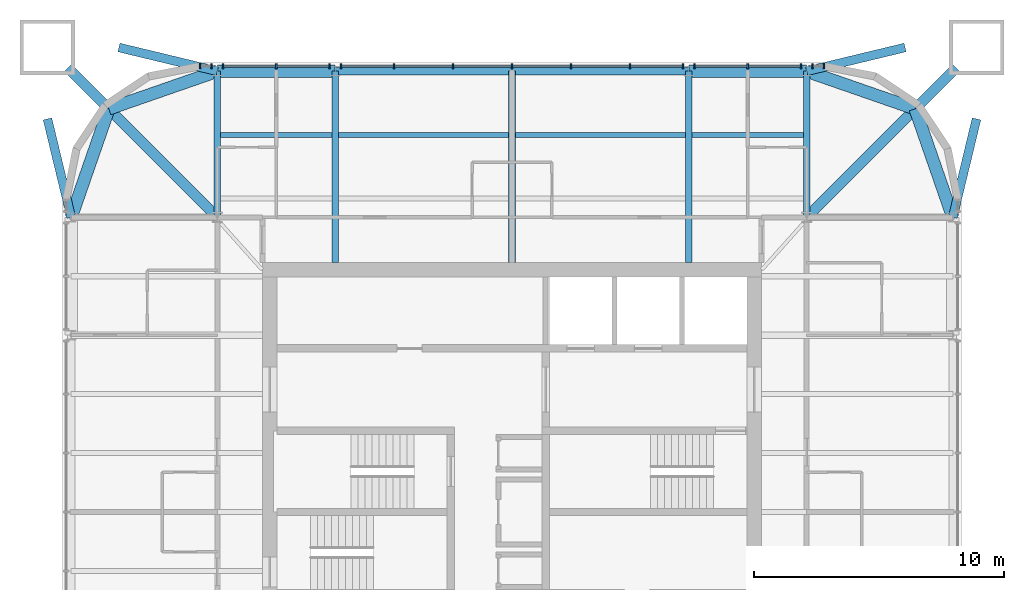
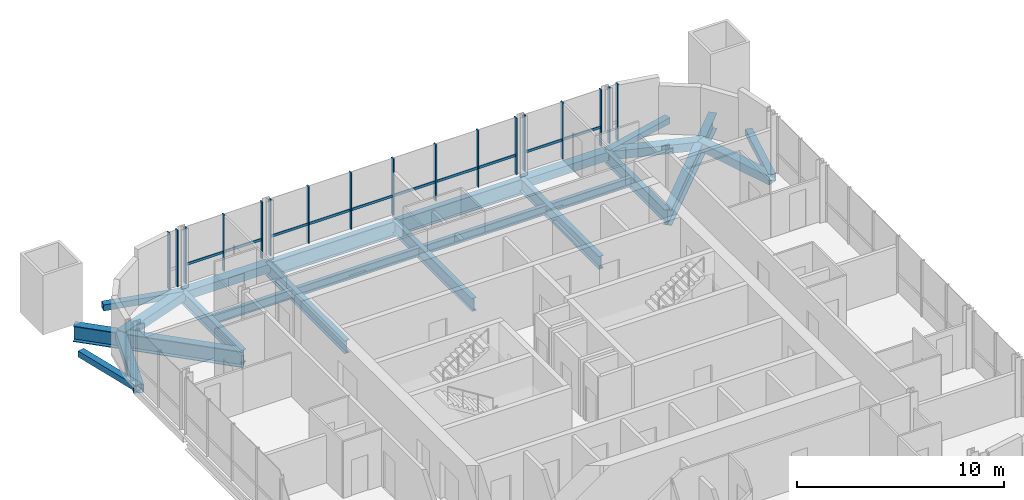
# One storey, part 5 of 16: 27 members, 22 beams, 5 elements without a shape of their own.
"""IFC4 building model written with IfcOpenShell, lengths in metres."""

from ifc_helpers import new_model, si_unit, direction, frame, origin, origin_2d, place, context, subcontext, project, spatial, rectangle, hollow_rectangle, i_section, extrude, material, material_profile, profile_set, type_object, element, aggregate, save


model = new_model("IFC4")

# Units and contexts
model_context = context("Model", 3, precision=1e-05, world=origin(), true_north=direction((0.0, 1.0)))
body_context = subcontext(model_context, "Body", "Model", "MODEL_VIEW")
ifc_project = project(units=[si_unit("LENGTHUNIT", "METRE"), si_unit("AREAUNIT", "SQUARE_METRE"), si_unit("VOLUMEUNIT", "CUBIC_METRE"), si_unit("PLANEANGLEUNIT", "RADIAN"), si_unit("MASSUNIT", "GRAM", prefix="KILO")], contexts=[model_context])

# Site, building, storey
site_placement = place(None, origin())
site = spatial("IfcSite", under=ifc_project, at=site_placement, CompositionType="ELEMENT")
building_placement = place(site_placement, origin())
building = spatial("IfcBuilding", under=site, at=building_placement, Name="Turquesa Mirador Hotel Tower", CompositionType="ELEMENT")
storey_placement = place(building_placement, frame((0.0, 0.0, 230.199951171875)))
storey = spatial("IfcBuildingStorey", under=building, at=storey_placement, Name="L62", CompositionType="ELEMENT", Elevation=230.199951171875)

# Beams
ifc_material_1 = material(Name="Steel ASTM A572 Grade 50", Category="steel")
ifc_material_profile_1 = material_profile(ifc_material_1, hollow_rectangle(XDim=0.5, YDim=0.5, WallThickness=0.01611328125, at=origin_2d()), Name="BOX500X500X16")
ifc_profile_set_1 = profile_set([ifc_material_profile_1], Name="Steel ASTM A572 Grade 50")
beam_type_1 = type_object("IfcBeamType", Name="BEAM BOX500X500X16", PredefinedType="BEAM", material=ifc_profile_set_1)
for number, where, z_axis, x_axis, name in (
    (1, (43.199951171875, 62.64990234375, -0.419921875), (1.0, 0.0, 0.0), (0.0, 1.0, 0.0), "EB-L62-N-L"),
    (2, (62.080078125, 62.64990234375, -0.419921875), (1.0, 0.0, 0.0), (0.0, 1.0, 0.0), "EB-L62-N-R"),
):
    element("IfcBeam", number, at=place(storey_placement, frame(where, z_axis=z_axis, x_axis=x_axis)), inside=storey, type_object=beam_type_1, Name=name, PredefinedType="BEAM", context=body_context, shape_type="SweptSolid", body=[
        extrude(hollow_rectangle(XDim=0.5, YDim=0.5, WallThickness=0.01611328125, at=origin_2d()), origin(), (0.0, 0.0, 1.0), 4.719970703125),
    ])
for number, where, z_axis, x_axis, name in (
    (3, (72.64990234375, 56.800048828125, -0.419921875), (-0.328170356092, 0.944618556552, 0.0), (-0.944618556552, -0.328170356092, 0.0), "KE-L62-1-0"),
    (4, (71.1416015625, 61.1416015625, -0.419921875), (-0.944618556552, 0.328170356092, 0.0), (-0.328170356092, -0.944618556552, 0.0), "KE-L62-1-1"),
    (5, (37.35009765625, 56.800048828125, -0.419921875), (0.328170356092, 0.944618556552, 0.0), (-0.944618556552, 0.328170356092, 0.0), "KE-L62-2-0"),
    (6, (38.8583984375, 61.1416015625, -0.419921875), (0.944618556552, 0.328170356092, 0.0), (-0.328170356092, 0.944618556552, 0.0), "KE-L62-2-1"),
):
    element("IfcBeam", number, at=place(storey_placement, frame(where, z_axis=z_axis, x_axis=x_axis)), inside=storey, type_object=beam_type_1, Name=name, PredefinedType="BEAM", context=body_context, shape_type="SweptSolid", body=[
        extrude(hollow_rectangle(XDim=0.5, YDim=0.5, WallThickness=0.01611328125, at=origin_2d()), origin(), (0.0, 0.0, 1.0), 4.59619140625),
    ])
ifc_material_2 = material(Name="Steel ASTM A992 Grade 50", Category="steel")
ifc_material_profile_2 = material_profile(ifc_material_2, i_section(OverallWidth=0.209228515625, OverallDepth=0.533447265625, WebThickness=0.01025390625, FlangeThickness=0.015625, at=origin_2d()), Name="W21X62")
ifc_profile_set_2 = profile_set([ifc_material_profile_2], Name="Steel ASTM A992 Grade 50")
beam_type_2 = type_object("IfcBeamType", Name="BEAM W21X62", PredefinedType="BEAM", material=ifc_profile_set_2)
beam_1_placement = place(storey_placement, frame((43.333251953125, 60.10009765625, -0.436767578125), z_axis=(1.0, 0.0, 0.0), x_axis=(0.0, 1.0, 0.0)))
element("IfcBeam", 7, at=beam_1_placement, inside=storey, type_object=beam_type_2, Name="IB-L62-N-2-0", PredefinedType="BEAM", context=body_context, shape_type="SweptSolid", body=[
    extrude(i_section(OverallWidth=0.209228515625, OverallDepth=0.533447265625, WebThickness=0.01025390625, FlangeThickness=0.015625, at=origin_2d()), origin(), (0.0, 0.0, 1.0), 4.453369140625),
])
for number, where, z_axis, x_axis, name in (
    (8, (48.053466796875, 60.10009765625, -0.436767578125), (1.0, 0.0, 0.0), (0.0, 1.0, 0.0), "IB-L62-N-2-1"),
    (9, (55.13330078125, 60.10009765625, -0.436767578125), (1.0, 0.0, 0.0), (0.0, 1.0, 0.0), "IB-L62-N-2-2"),
):
    element("IfcBeam", number, at=place(storey_placement, frame(where, z_axis=z_axis, x_axis=x_axis)), inside=storey, type_object=beam_type_2, Name=name, PredefinedType="BEAM", context=body_context, shape_type="SweptSolid", body=[
        extrude(i_section(OverallWidth=0.209228515625, OverallDepth=0.533447265625, WebThickness=0.01025390625, FlangeThickness=0.015625, at=origin_2d()), origin(), (0.0, 0.0, 1.0), 6.813232421875),
    ])
beam_2_placement = place(storey_placement, frame((62.21337890625, 60.10009765625, -0.436767578125), z_axis=(1.0, 0.0, 0.0), x_axis=(0.0, 1.0, 0.0)))
element("IfcBeam", 10, at=beam_2_placement, inside=storey, type_object=beam_type_2, Name="IB-L62-N-2-3", PredefinedType="BEAM", context=body_context, shape_type="SweptSolid", body=[
    extrude(i_section(OverallWidth=0.209228515625, OverallDepth=0.533447265625, WebThickness=0.01025390625, FlangeThickness=0.015625, at=origin_2d()), origin(), (0.0, 0.0, 1.0), 4.453369140625),
])
ifc_material_3 = material(Name="Steel ASTM A992 Grade 50", Category="steel")
ifc_material_profile_3 = material_profile(ifc_material_3, i_section(OverallWidth=0.2666015625, OverallDepth=0.7568359375, WebThickness=0.013916015625, FlangeThickness=0.019287109375, at=origin_2d()), Name="W30X108")
ifc_profile_set_3 = profile_set([ifc_material_profile_3], Name="Steel ASTM A992 Grade 50")
beam_type_3 = type_object("IfcBeamType", Name="BEAM W30X108", PredefinedType="BEAM", material=ifc_profile_set_3)
for number, where, z_axis, x_axis, name in (
    (11, (47.919921875, 62.64990234375, -0.54833984375), (0.0, -1.0, 0.0), (1.0, 0.0, 0.0), "GD-L62-N--7.08"),
    (12, (62.080078125, 62.64990234375, -0.54833984375), (0.0, -1.0, 0.0), (1.0, 0.0, 0.0), "GD-L62-N-+7.08"),
    (13, (55.0, 62.64990234375, -0.54833984375), (0.0, -1.0, 0.0), (1.0, 0.0, 0.0), "GD-L62-N-+0.00"),
):
    element("IfcBeam", number, at=place(storey_placement, frame(where, z_axis=z_axis, x_axis=x_axis)), inside=storey, type_object=beam_type_3, Name=name, PredefinedType="BEAM", context=body_context, shape_type="SweptSolid", body=[
        extrude(i_section(OverallWidth=0.2666015625, OverallDepth=0.7568359375, WebThickness=0.013916015625, FlangeThickness=0.019287109375, at=origin_2d()), origin(), (0.0, 0.0, 1.0), 7.64990234375),
    ])
for number, where, z_axis, x_axis, name in (
    (14, (43.199951171875, 62.64990234375, -0.54833984375), (0.0, -1.0, 0.0), (1.0, 0.0, 0.0), "GK-L62-N--11.80"),
    (15, (66.800048828125, 62.64990234375, -0.54833984375), (0.0, -1.0, 0.0), (1.0, 0.0, 0.0), "GK-L62-N-+11.80"),
):
    element("IfcBeam", number, at=place(storey_placement, frame(where, z_axis=z_axis, x_axis=x_axis)), inside=storey, type_object=beam_type_3, Name=name, PredefinedType="BEAM", context=body_context, shape_type="SweptSolid", body=[
        extrude(i_section(OverallWidth=0.2666015625, OverallDepth=0.7568359375, WebThickness=0.013916015625, FlangeThickness=0.019287109375, at=origin_2d()), origin(), (0.0, 0.0, 1.0), 5.849853515625),
    ])
ifc_material_4 = material(Name="Steel ASTM A992 Grade 50", Category="steel")
ifc_material_profile_4 = material_profile(ifc_material_4, i_section(OverallWidth=0.3046875, OverallDepth=0.911865234375, WebThickness=0.015869140625, FlangeThickness=0.02392578125, at=origin_2d()), Name="W36X150")
ifc_profile_set_4 = profile_set([ifc_material_profile_4], Name="Steel ASTM A992 Grade 50")
beam_type_4 = type_object("IfcBeamType", Name="BEAM W36X150", PredefinedType="BEAM", material=ifc_profile_set_4)
beam_3_placement = place(storey_placement, frame((47.919921875, 62.64990234375, -0.6259765625), z_axis=(1.0, 0.0, 0.0), x_axis=(0.0, 1.0, 0.0)))
element("IfcBeam", 16, at=beam_3_placement, inside=storey, type_object=beam_type_4, Name="EB-L62-N-C", PredefinedType="BEAM", context=body_context, shape_type="SweptSolid", body=[
    extrude(i_section(OverallWidth=0.3046875, OverallDepth=0.911865234375, WebThickness=0.015869140625, FlangeThickness=0.02392578125, at=origin_2d()), origin(), (0.0, 0.0, 1.0), 14.16015625),
])
ifc_material_5 = material(Name="Steel ASTM A992 Grade 50", Category="steel")
ifc_material_profile_5 = material_profile(ifc_material_5, i_section(OverallWidth=0.419189453125, OverallDepth=0.927001953125, WebThickness=0.019287109375, FlangeThickness=0.031982421875, at=origin_2d()), Name="W36X231")
ifc_profile_set_5 = profile_set([ifc_material_profile_5], Name="Steel ASTM A992 Grade 50")
beam_type_5 = type_object("IfcBeamType", Name="BEAM W36X231", PredefinedType="BEAM", material=ifc_profile_set_5)
for number, where, z_axis, x_axis, name in (
    (17, (66.800048828125, 56.800048828125, -0.633544921875), (0.707106781187, 0.707106781187, 0.0), (-0.707106781187, 0.707106781187, 0.0), "KD-L62-1"),
    (18, (43.199951171875, 56.800048828125, -0.633544921875), (-0.707106781187, 0.707106781187, 0.0), (-0.707106781187, -0.707106781187, 0.0), "KD-L62-2"),
):
    element("IfcBeam", number, at=place(storey_placement, frame(where, z_axis=z_axis, x_axis=x_axis)), inside=storey, type_object=beam_type_5, Name=name, PredefinedType="BEAM", context=body_context, shape_type="SweptSolid", body=[
        extrude(i_section(OverallWidth=0.419189453125, OverallDepth=0.927001953125, WebThickness=0.019287109375, FlangeThickness=0.031982421875, at=origin_2d()), origin(), (0.0, 0.0, 1.0), 8.46240234375),
    ])
ifc_material_6 = material(Name="Steel ASTM A500 Grade C", Category="steel")
ifc_material_profile_6 = material_profile(ifc_material_6, hollow_rectangle(XDim=0.355712890625, YDim=0.355712890625, WallThickness=0.0146484375, at=origin_2d()), Name="HSS14X14X5/8")
ifc_profile_set_6 = profile_set([ifc_material_profile_6], Name="Steel ASTM A500 Grade C")
beam_type_6 = type_object("IfcBeamType", Name="BRACE STRUT HSS14X14X5/8", PredefinedType="BEAM", material=ifc_profile_set_6)
for number, where, z_axis, x_axis, name in (
    (19, (39.261474609375, 63.60009765625, -0.34765625), (0.972108743685, -0.234530574661, 0.0), (0.234530574661, 0.972108743685, 0.0), "Brace strut"),
    (20, (70.738525390625, 63.60009765625, -0.34765625), (-0.972108743685, -0.234530574661, 0.0), (0.234530574661, -0.972108743685, 0.0), "Brace strut"),
    (21, (73.60009765625, 60.738525390625, -0.34765625), (-0.234530574661, -0.972108743685, 0.0), (0.972108743685, -0.234530574661, 0.0), "Brace strut"),
    (22, (36.39990234375, 60.738525390625, -0.34765625), (0.234530574661, -0.972108743685, 0.0), (0.972108743685, 0.234530574661, 0.0), "Brace strut"),
):
    element("IfcBeam", number, at=place(storey_placement, frame(where, z_axis=z_axis, x_axis=x_axis)), inside=storey, type_object=beam_type_6, Name=name, PredefinedType="BEAM", context=body_context, shape_type="SweptSolid", body=[
        extrude(hollow_rectangle(XDim=0.355712890625, YDim=0.355712890625, WallThickness=0.0146484375, at=origin_2d()), origin(), (0.0, 0.0, 1.0), 4.051513671875),
    ])

# Curtain wall, members
ifc_material_7 = material(Name="Aluminium extrusion", Category="aluminium")
curtain_wall_type = type_object("IfcCurtainWallType", Name="CW-4 SUITE FRITTED CURTAIN WALL", PredefinedType="USERDEFINED", material=ifc_material_7)
curtain_wall_1_placement = place(storey_placement, origin())
curtain_wall_1 = element("IfcCurtainWall", 23, at=curtain_wall_1_placement, inside=storey, type_object=curtain_wall_type, Name="CW-4 SUITE FRITTED CURTAIN WALL L62", ObjectType="CURTAIN WALL", PredefinedType="USERDEFINED")
ifc_material_8 = material(Name="Aluminium extrusion", Category="aluminium")
ifc_material_profile_7 = material_profile(ifc_material_8, rectangle(XDim=0.06494140625, YDim=0.199951171875, at=origin_2d()), Name="MULLION 65X200")
ifc_profile_set_7 = profile_set([ifc_material_profile_7], Name="Aluminium extrusion")
member_type_1 = type_object("IfcMemberType", Name="CW MULLION 65X200", PredefinedType="MULLION", material=ifc_profile_set_7)
member_1_placement = place(storey_placement, frame((67.5, 62.85009765625, 0.0), z_axis=(0.0, 0.0, 1.0), x_axis=(-1.0, 0.0, 0.0)))
member_1 = element("IfcMember", 24, at=member_1_placement, type_object=member_type_1, Name="Mullion", PredefinedType="MULLION", context=body_context, shape_type="SweptSolid", body=[
    extrude(rectangle(XDim=0.06494140625, YDim=0.199951171875, at=origin_2d()), origin(), (0.0, 0.0, 1.0), 3.330078125),
])
member_2_placement = place(storey_placement, frame((67.033935546875, 62.85009765625, 0.0), z_axis=(0.0, 0.0, 1.0), x_axis=(-1.0, 0.0, 0.0)))
member_2 = element("IfcMember", 25, at=member_2_placement, type_object=member_type_1, Name="Mullion", PredefinedType="MULLION", context=body_context, shape_type="SweptSolid", body=[
    extrude(rectangle(XDim=0.06494140625, YDim=0.199951171875, at=origin_2d()), origin(), (0.0, 0.0, 1.0), 3.330078125),
])
aggregate(curtain_wall_1, [member_1, member_2])

curtain_wall_2_placement = place(storey_placement, origin())
curtain_wall_2 = element("IfcCurtainWall", 26, at=curtain_wall_2_placement, inside=storey, type_object=curtain_wall_type, Name="CW-4 SUITE FRITTED CURTAIN WALL L62", ObjectType="CURTAIN WALL", PredefinedType="USERDEFINED")
member_3_placement = place(storey_placement, frame((66.566162109375, 62.85009765625, 0.0), z_axis=(0.0, 0.0, 1.0), x_axis=(-1.0, 0.0, 0.0)))
member_3 = element("IfcMember", 27, at=member_3_placement, type_object=member_type_1, Name="Mullion", PredefinedType="MULLION", context=body_context, shape_type="SweptSolid", body=[
    extrude(rectangle(XDim=0.06494140625, YDim=0.199951171875, at=origin_2d()), origin(), (0.0, 0.0, 1.0), 3.330078125),
])
member_4_placement = place(storey_placement, frame((64.43994140625, 62.85009765625, 0.0), z_axis=(0.0, 0.0, 1.0), x_axis=(-1.0, 0.0, 0.0)))
member_4 = element("IfcMember", 28, at=member_4_placement, type_object=member_type_1, Name="Mullion", PredefinedType="MULLION", context=body_context, shape_type="SweptSolid", body=[
    extrude(rectangle(XDim=0.06494140625, YDim=0.199951171875, at=origin_2d()), origin(), (0.0, 0.0, 1.0), 3.330078125),
])
member_5_placement = place(storey_placement, frame((62.31396484375, 62.85009765625, 0.0), z_axis=(0.0, 0.0, 1.0), x_axis=(-1.0, 0.0, 0.0)))
member_5 = element("IfcMember", 29, at=member_5_placement, type_object=member_type_1, Name="Mullion", PredefinedType="MULLION", context=body_context, shape_type="SweptSolid", body=[
    extrude(rectangle(XDim=0.06494140625, YDim=0.199951171875, at=origin_2d()), origin(), (0.0, 0.0, 1.0), 3.330078125),
])

curtain_wall_3_placement = place(storey_placement, origin())
curtain_wall_3 = element("IfcCurtainWall", 30, at=curtain_wall_3_placement, inside=storey, type_object=curtain_wall_type, Name="CW-4 SUITE FRITTED CURTAIN WALL L62", ObjectType="CURTAIN WALL", PredefinedType="USERDEFINED")
member_6_placement = place(storey_placement, frame((61.84619140625, 62.85009765625, 0.0), z_axis=(0.0, 0.0, 1.0), x_axis=(-1.0, 0.0, 0.0)))
member_6 = element("IfcMember", 31, at=member_6_placement, type_object=member_type_1, Name="Mullion", PredefinedType="MULLION", context=body_context, shape_type="SweptSolid", body=[
    extrude(rectangle(XDim=0.06494140625, YDim=0.199951171875, at=origin_2d()), origin(), (0.0, 0.0, 1.0), 3.330078125),
])
member_7_placement = place(storey_placement, frame((59.719970703125, 62.85009765625, 0.0), z_axis=(0.0, 0.0, 1.0), x_axis=(-1.0, 0.0, 0.0)))
member_7 = element("IfcMember", 32, at=member_7_placement, type_object=member_type_1, Name="Mullion", PredefinedType="MULLION", context=body_context, shape_type="SweptSolid", body=[
    extrude(rectangle(XDim=0.06494140625, YDim=0.199951171875, at=origin_2d()), origin(), (0.0, 0.0, 1.0), 3.330078125),
])
member_8_placement = place(storey_placement, frame((57.360107421875, 62.85009765625, 0.0), z_axis=(0.0, 0.0, 1.0), x_axis=(-1.0, 0.0, 0.0)))
member_8 = element("IfcMember", 33, at=member_8_placement, type_object=member_type_1, Name="Mullion", PredefinedType="MULLION", context=body_context, shape_type="SweptSolid", body=[
    extrude(rectangle(XDim=0.06494140625, YDim=0.199951171875, at=origin_2d()), origin(), (0.0, 0.0, 1.0), 3.330078125),
])
member_9_placement = place(storey_placement, frame((55.0, 62.85009765625, 0.0), z_axis=(0.0, 0.0, 1.0), x_axis=(-1.0, 0.0, 0.0)))
member_9 = element("IfcMember", 34, at=member_9_placement, type_object=member_type_1, Name="Mullion", PredefinedType="MULLION", context=body_context, shape_type="SweptSolid", body=[
    extrude(rectangle(XDim=0.06494140625, YDim=0.199951171875, at=origin_2d()), origin(), (0.0, 0.0, 1.0), 3.330078125),
])
member_10_placement = place(storey_placement, frame((52.639892578125, 62.85009765625, 0.0), z_axis=(0.0, 0.0, 1.0), x_axis=(-1.0, 0.0, 0.0)))
member_10 = element("IfcMember", 35, at=member_10_placement, type_object=member_type_1, Name="Mullion", PredefinedType="MULLION", context=body_context, shape_type="SweptSolid", body=[
    extrude(rectangle(XDim=0.06494140625, YDim=0.199951171875, at=origin_2d()), origin(), (0.0, 0.0, 1.0), 3.330078125),
])
member_11_placement = place(storey_placement, frame((50.280029296875, 62.85009765625, 0.0), z_axis=(0.0, 0.0, 1.0), x_axis=(-1.0, 0.0, 0.0)))
member_11 = element("IfcMember", 36, at=member_11_placement, type_object=member_type_1, Name="Mullion", PredefinedType="MULLION", context=body_context, shape_type="SweptSolid", body=[
    extrude(rectangle(XDim=0.06494140625, YDim=0.199951171875, at=origin_2d()), origin(), (0.0, 0.0, 1.0), 3.330078125),
])
member_12_placement = place(storey_placement, frame((48.15380859375, 62.85009765625, 0.0), z_axis=(0.0, 0.0, 1.0), x_axis=(-1.0, 0.0, 0.0)))
member_12 = element("IfcMember", 37, at=member_12_placement, type_object=member_type_1, Name="Mullion", PredefinedType="MULLION", context=body_context, shape_type="SweptSolid", body=[
    extrude(rectangle(XDim=0.06494140625, YDim=0.199951171875, at=origin_2d()), origin(), (0.0, 0.0, 1.0), 3.330078125),
])

curtain_wall_4_placement = place(storey_placement, origin())
curtain_wall_4 = element("IfcCurtainWall", 38, at=curtain_wall_4_placement, inside=storey, type_object=curtain_wall_type, Name="CW-4 SUITE FRITTED CURTAIN WALL L62", ObjectType="CURTAIN WALL", PredefinedType="USERDEFINED")
member_13_placement = place(storey_placement, frame((47.68603515625, 62.85009765625, 0.0), z_axis=(0.0, 0.0, 1.0), x_axis=(-1.0, 0.0, 0.0)))
member_13 = element("IfcMember", 39, at=member_13_placement, type_object=member_type_1, Name="Mullion", PredefinedType="MULLION", context=body_context, shape_type="SweptSolid", body=[
    extrude(rectangle(XDim=0.06494140625, YDim=0.199951171875, at=origin_2d()), origin(), (0.0, 0.0, 1.0), 3.330078125),
])
member_14_placement = place(storey_placement, frame((45.56005859375, 62.85009765625, 0.0), z_axis=(0.0, 0.0, 1.0), x_axis=(-1.0, 0.0, 0.0)))
member_14 = element("IfcMember", 40, at=member_14_placement, type_object=member_type_1, Name="Mullion", PredefinedType="MULLION", context=body_context, shape_type="SweptSolid", body=[
    extrude(rectangle(XDim=0.06494140625, YDim=0.199951171875, at=origin_2d()), origin(), (0.0, 0.0, 1.0), 3.330078125),
])
member_15_placement = place(storey_placement, frame((43.433837890625, 62.85009765625, 0.0), z_axis=(0.0, 0.0, 1.0), x_axis=(-1.0, 0.0, 0.0)))
member_15 = element("IfcMember", 41, at=member_15_placement, type_object=member_type_1, Name="Mullion", PredefinedType="MULLION", context=body_context, shape_type="SweptSolid", body=[
    extrude(rectangle(XDim=0.06494140625, YDim=0.199951171875, at=origin_2d()), origin(), (0.0, 0.0, 1.0), 3.330078125),
])

curtain_wall_5_placement = place(storey_placement, origin())
curtain_wall_5 = element("IfcCurtainWall", 42, at=curtain_wall_5_placement, inside=storey, type_object=curtain_wall_type, Name="CW-4 SUITE FRITTED CURTAIN WALL L62", ObjectType="CURTAIN WALL", PredefinedType="USERDEFINED")
member_16_placement = place(storey_placement, frame((42.966064453125, 62.85009765625, 0.0), z_axis=(0.0, 0.0, 1.0), x_axis=(-1.0, 0.0, 0.0)))
member_16 = element("IfcMember", 43, at=member_16_placement, type_object=member_type_1, Name="Mullion", PredefinedType="MULLION", context=body_context, shape_type="SweptSolid", body=[
    extrude(rectangle(XDim=0.06494140625, YDim=0.199951171875, at=origin_2d()), origin(), (0.0, 0.0, 1.0), 3.330078125),
])
member_17_placement = place(storey_placement, frame((42.5, 62.85009765625, 0.0), z_axis=(0.0, 0.0, 1.0), x_axis=(-1.0, 0.0, 0.0)))
member_17 = element("IfcMember", 44, at=member_17_placement, type_object=member_type_1, Name="Mullion", PredefinedType="MULLION", context=body_context, shape_type="SweptSolid", body=[
    extrude(rectangle(XDim=0.06494140625, YDim=0.199951171875, at=origin_2d()), origin(), (0.0, 0.0, 1.0), 3.330078125),
])
aggregate(curtain_wall_5, [member_16, member_17])

# Member
ifc_material_9 = material(Name="Aluminium extrusion", Category="aluminium")
ifc_material_profile_8 = material_profile(ifc_material_9, rectangle(XDim=0.06494140625, YDim=0.14990234375, at=origin_2d()), Name="TRANSOM 65X150")
ifc_profile_set_8 = profile_set([ifc_material_profile_8], Name="Aluminium extrusion")
member_type_2 = type_object("IfcMemberType", Name="CW TRANSOM 65X150", PredefinedType="USERDEFINED", material=ifc_profile_set_8)
member_18_placement = place(storey_placement, frame((66.53369140625, 62.85009765625, 1.10009765625), z_axis=(-1.0, 0.0, 0.0), x_axis=(0.0, -1.0, 0.0)))
member_18 = element("IfcMember", 45, at=member_18_placement, type_object=member_type_2, Name="Transom", ObjectType="TRANSOM", PredefinedType="USERDEFINED", context=body_context, shape_type="SweptSolid", body=[
    extrude(rectangle(XDim=0.06494140625, YDim=0.14990234375, at=origin_2d()), origin(), (0.0, 0.0, 1.0), 2.061279296875),
])

member_19_placement = place(storey_placement, frame((64.407470703125, 62.85009765625, 1.10009765625), z_axis=(-1.0, 0.0, 0.0), x_axis=(0.0, -1.0, 0.0)))
member_19 = element("IfcMember", 46, at=member_19_placement, type_object=member_type_2, Name="Transom", ObjectType="TRANSOM", PredefinedType="USERDEFINED", context=body_context, shape_type="SweptSolid", body=[
    extrude(rectangle(XDim=0.06494140625, YDim=0.14990234375, at=origin_2d()), origin(), (0.0, 0.0, 1.0), 2.06103515625),
])

aggregate(curtain_wall_2, [member_3, member_4, member_5, member_18, member_19])

member_20_placement = place(storey_placement, frame((61.813720703125, 62.85009765625, 1.10009765625), z_axis=(-1.0, 0.0, 0.0), x_axis=(0.0, -1.0, 0.0)))
member_20 = element("IfcMember", 47, at=member_20_placement, type_object=member_type_2, Name="Transom", ObjectType="TRANSOM", PredefinedType="USERDEFINED", context=body_context, shape_type="SweptSolid", body=[
    extrude(rectangle(XDim=0.06494140625, YDim=0.14990234375, at=origin_2d()), origin(), (0.0, 0.0, 1.0), 2.061279296875),
])

member_21_placement = place(storey_placement, frame((59.6875, 62.85009765625, 1.10009765625), z_axis=(-1.0, 0.0, 0.0), x_axis=(0.0, -1.0, 0.0)))
member_21 = element("IfcMember", 48, at=member_21_placement, type_object=member_type_2, Name="Transom", ObjectType="TRANSOM", PredefinedType="USERDEFINED", context=body_context, shape_type="SweptSolid", body=[
    extrude(rectangle(XDim=0.06494140625, YDim=0.14990234375, at=origin_2d()), origin(), (0.0, 0.0, 1.0), 2.294921875),
])

member_22_placement = place(storey_placement, frame((57.327392578125, 62.85009765625, 1.10009765625), z_axis=(-1.0, 0.0, 0.0), x_axis=(0.0, -1.0, 0.0)))
member_22 = element("IfcMember", 49, at=member_22_placement, type_object=member_type_2, Name="Transom", ObjectType="TRANSOM", PredefinedType="USERDEFINED", context=body_context, shape_type="SweptSolid", body=[
    extrude(rectangle(XDim=0.06494140625, YDim=0.14990234375, at=origin_2d()), origin(), (0.0, 0.0, 1.0), 2.294921875),
])

member_23_placement = place(storey_placement, frame((54.967529296875, 62.85009765625, 1.10009765625), z_axis=(-1.0, 0.0, 0.0), x_axis=(0.0, -1.0, 0.0)))
member_23 = element("IfcMember", 50, at=member_23_placement, type_object=member_type_2, Name="Transom", ObjectType="TRANSOM", PredefinedType="USERDEFINED", context=body_context, shape_type="SweptSolid", body=[
    extrude(rectangle(XDim=0.06494140625, YDim=0.14990234375, at=origin_2d()), origin(), (0.0, 0.0, 1.0), 2.294921875),
])

member_24_placement = place(storey_placement, frame((52.607421875, 62.85009765625, 1.10009765625), z_axis=(-1.0, 0.0, 0.0), x_axis=(0.0, -1.0, 0.0)))
member_24 = element("IfcMember", 51, at=member_24_placement, type_object=member_type_2, Name="Transom", ObjectType="TRANSOM", PredefinedType="USERDEFINED", context=body_context, shape_type="SweptSolid", body=[
    extrude(rectangle(XDim=0.06494140625, YDim=0.14990234375, at=origin_2d()), origin(), (0.0, 0.0, 1.0), 2.294921875),
])

member_25_placement = place(storey_placement, frame((50.24755859375, 62.85009765625, 1.10009765625), z_axis=(-1.0, 0.0, 0.0), x_axis=(0.0, -1.0, 0.0)))
member_25 = element("IfcMember", 52, at=member_25_placement, type_object=member_type_2, Name="Transom", ObjectType="TRANSOM", PredefinedType="USERDEFINED", context=body_context, shape_type="SweptSolid", body=[
    extrude(rectangle(XDim=0.06494140625, YDim=0.14990234375, at=origin_2d()), origin(), (0.0, 0.0, 1.0), 2.061279296875),
])

aggregate(curtain_wall_3, [member_6, member_7, member_8, member_9, member_10, member_11, member_12, member_20, member_21, member_22, member_23, member_24, member_25])

member_26_placement = place(storey_placement, frame((47.653564453125, 62.85009765625, 1.10009765625), z_axis=(-1.0, 0.0, 0.0), x_axis=(0.0, -1.0, 0.0)))
member_26 = element("IfcMember", 53, at=member_26_placement, type_object=member_type_2, Name="Transom", ObjectType="TRANSOM", PredefinedType="USERDEFINED", context=body_context, shape_type="SweptSolid", body=[
    extrude(rectangle(XDim=0.06494140625, YDim=0.14990234375, at=origin_2d()), origin(), (0.0, 0.0, 1.0), 2.06103515625),
])

member_27_placement = place(storey_placement, frame((45.527587890625, 62.85009765625, 1.10009765625), z_axis=(-1.0, 0.0, 0.0), x_axis=(0.0, -1.0, 0.0)))
member_27 = element("IfcMember", 54, at=member_27_placement, type_object=member_type_2, Name="Transom", ObjectType="TRANSOM", PredefinedType="USERDEFINED", context=body_context, shape_type="SweptSolid", body=[
    extrude(rectangle(XDim=0.06494140625, YDim=0.14990234375, at=origin_2d()), origin(), (0.0, 0.0, 1.0), 2.061279296875),
])

aggregate(curtain_wall_4, [member_13, member_14, member_15, member_26, member_27])

save(model, "model.ifc")
